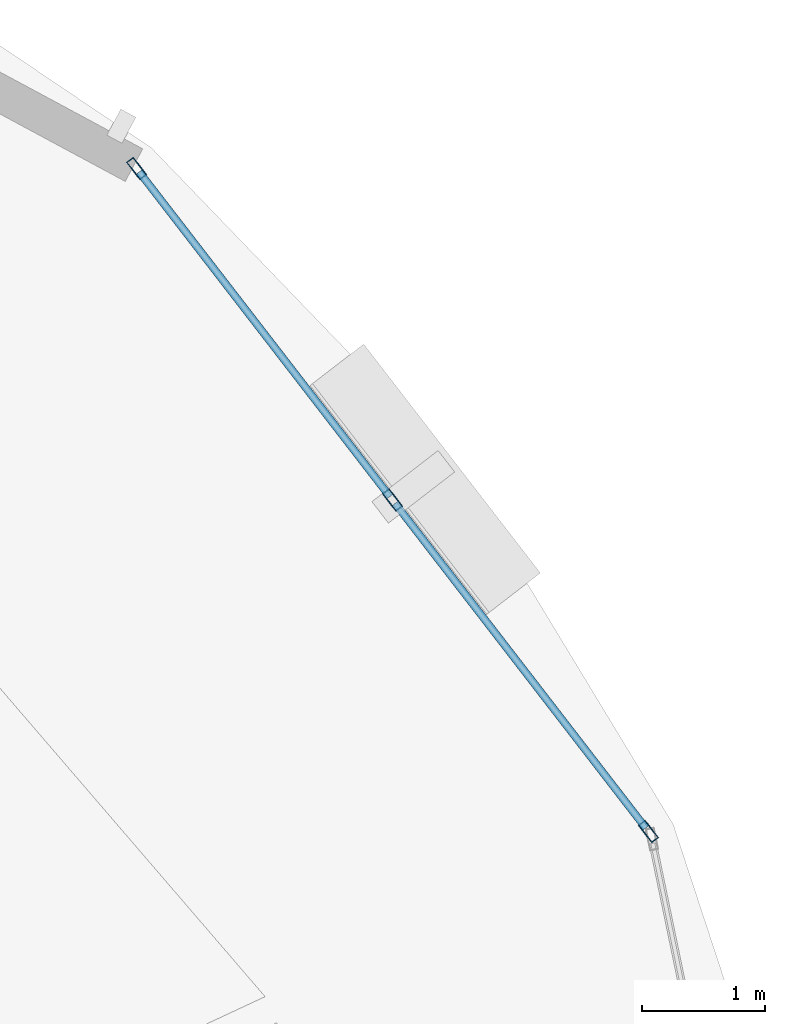
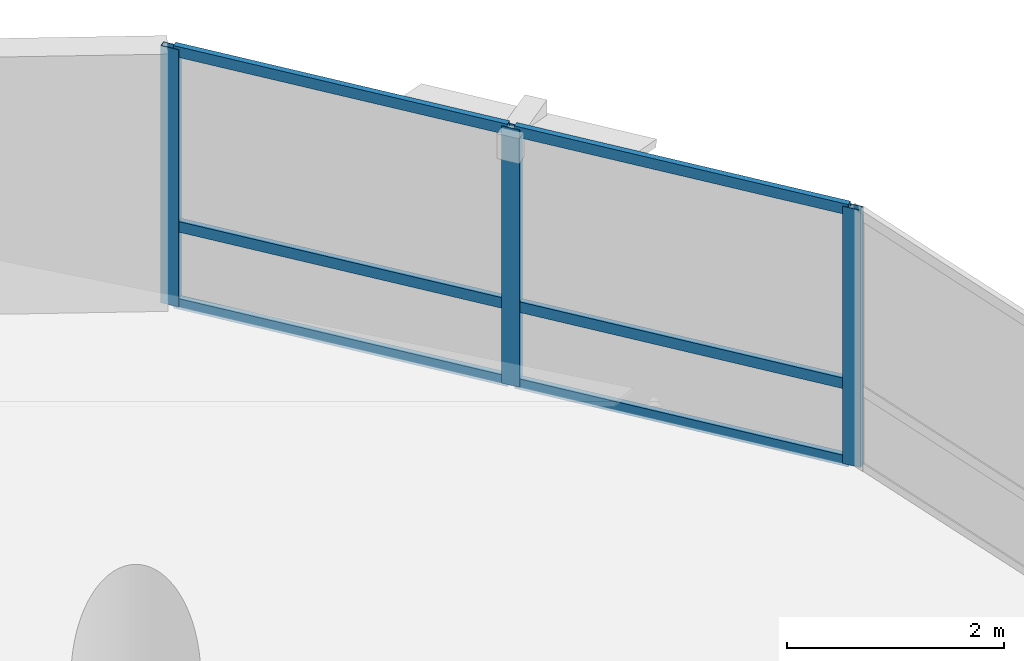
# One storey, part 8 of 14: 9 members, 1 element without a shape of its own.
"""IFC4 building model written with IfcOpenShell, lengths in metres."""

from ifc_helpers import new_model, si_unit, direction, frame, origin, origin_2d, place, context, subcontext, project, spatial, hollow_rectangle, extrude, material, layer, layer_set, material_profile, profile_set, type_object, element, aggregate, save


model = new_model("IFC4")

# Units and contexts
model_context = context("Model", 3, precision=1e-05, world=origin(), true_north=direction((0.0, 1.0)))
body_context = subcontext(model_context, "Body", "Model", "MODEL_VIEW")
ifc_project = project(units=[si_unit("LENGTHUNIT", "METRE"), si_unit("AREAUNIT", "SQUARE_METRE"), si_unit("VOLUMEUNIT", "CUBIC_METRE"), si_unit("PLANEANGLEUNIT", "RADIAN"), si_unit("MASSUNIT", "GRAM", prefix="KILO"), si_unit("THERMODYNAMICTEMPERATUREUNIT", "KELVIN"), si_unit("POWERUNIT", "WATT")], contexts=[model_context])

# Site, building, storey
site_placement = place(None, origin())
site = spatial("IfcSite", under=ifc_project, at=site_placement, CompositionType="ELEMENT")
building_placement = place(site_placement, origin())
building = spatial("IfcBuilding", under=site, at=building_placement, Name="Ocrelia Relay Tower", CompositionType="ELEMENT")
storey_placement = place(building_placement, frame((0.0, 0.0, 137.800048828125)))
storey = spatial("IfcBuildingStorey", under=building, at=storey_placement, Name="L32", CompositionType="ELEMENT", Elevation=137.800048828125)

# Curtain wall, members
ifc_material_1 = material(Name="Aluminium and solar-control low-E glass", Category="aluminium")
ifc_layer = layer(ifc_material_1, 0.179931640625, Name="Aluminium and solar-control low-E glass")
ifc_layer_set = layer_set([ifc_layer], Name="Aluminium and solar-control low-E glass")
curtain_wall_type = type_object("IfcCurtainWallType", Name="CW-SYS-Z2-SWIT", PredefinedType="NOTDEFINED", material=ifc_layer_set)
curtain_wall_placement = place(storey_placement, origin())
curtain_wall = element("IfcCurtainWall", 1, at=curtain_wall_placement, inside=storey, type_object=curtain_wall_type, Name="L32 Elliptical Tower Curtain Wall Bay 01", PredefinedType="NOTDEFINED")
ifc_material_2 = material(Name="Anodised bronze aluminium", Category="aluminium")
ifc_material_profile_1 = material_profile(ifc_material_2, hollow_rectangle(XDim=0.070068359375, YDim=0.179931640625, WallThickness=0.006103515625, at=origin_2d()), Name="CW-MUL-180x70")
ifc_profile_set_1 = profile_set([ifc_material_profile_1], Name="Anodised bronze aluminium")
member_type_1 = type_object("IfcMemberType", Name="CW-SYS-Z2-SWIT-MUL", PredefinedType="MULLION", material=ifc_profile_set_1)
member_1_placement = place(storey_placement, frame((57.236328125, 36.72509765625, 0.0), z_axis=(0.0, 0.0, 1.0), x_axis=(-0.791550597168, -0.611103634519, 0.0)))
member_1 = element("IfcMember", 2, at=member_1_placement, type_object=member_type_1, Name="CW-Z2 mullion 1", PredefinedType="MULLION", context=body_context, shape_type="SweptSolid", body=[
    extrude(hollow_rectangle(XDim=0.070068359375, YDim=0.179931640625, WallThickness=0.006103515625, at=origin_2d()), origin(), (0.0, 0.0, 1.0), 2.89990234375),
])
member_2_placement = place(storey_placement, frame((55.156005859375, 39.419921875, 0.0), z_axis=(0.0, 0.0, 1.0), x_axis=(-0.791550597168, -0.611103634519, 0.0)))
member_2 = element("IfcMember", 3, at=member_2_placement, type_object=member_type_1, Name="CW-Z2 mullion 2", PredefinedType="MULLION", context=body_context, shape_type="SweptSolid", body=[
    extrude(hollow_rectangle(XDim=0.070068359375, YDim=0.179931640625, WallThickness=0.006103515625, at=origin_2d()), origin(), (0.0, 0.0, 1.0), 2.89990234375),
])
member_3_placement = place(storey_placement, frame((53.075439453125, 42.11474609375, 0.0), z_axis=(0.0, 0.0, 1.0), x_axis=(-0.791550597168, -0.611103634519, 0.0)))
member_3 = element("IfcMember", 4, at=member_3_placement, type_object=member_type_1, Name="CW-Z2 mullion 3", PredefinedType="MULLION", context=body_context, shape_type="SweptSolid", body=[
    extrude(hollow_rectangle(XDim=0.070068359375, YDim=0.179931640625, WallThickness=0.006103515625, at=origin_2d()), origin(), (0.0, 0.0, 1.0), 2.89990234375),
])
ifc_material_profile_2 = material_profile(ifc_material_2, hollow_rectangle(XDim=0.06005859375, YDim=0.1201171875, WallThickness=0.0048828125, at=origin_2d()), Name="CW-TRN-120x60")
ifc_profile_set_2 = profile_set([ifc_material_profile_2], Name="Anodised bronze aluminium")
member_type_2 = type_object("IfcMemberType", Name="CW-SYS-Z2-SWIT-TRN", PredefinedType="USERDEFINED", material=ifc_profile_set_2)
member_4_placement = place(storey_placement, frame((57.215087890625, 36.7529296875, 0.030029296875), z_axis=(-0.611128637846, 0.79153129313, 0.0), x_axis=(-0.79153129313, -0.611128637846, 0.0)))
member_4 = element("IfcMember", 5, at=member_4_placement, type_object=member_type_2, Name="CW-Z2 transom 1.1", ObjectType="TRANSOM", PredefinedType="USERDEFINED", context=body_context, shape_type="SweptSolid", body=[
    extrude(hollow_rectangle(XDim=0.06005859375, YDim=0.1201171875, WallThickness=0.0048828125, at=origin_2d()), origin(), (0.0, 0.0, 1.0), 3.33447265625),
])
member_5_placement = place(storey_placement, frame((57.215087890625, 36.7529296875, 0.89990234375), z_axis=(-0.611128637846, 0.79153129313, 0.0), x_axis=(-0.79153129313, -0.611128637846, 0.0)))
member_5 = element("IfcMember", 6, at=member_5_placement, type_object=member_type_2, Name="CW-Z2 transom 1.2", ObjectType="TRANSOM", PredefinedType="USERDEFINED", context=body_context, shape_type="SweptSolid", body=[
    extrude(hollow_rectangle(XDim=0.06005859375, YDim=0.1201171875, WallThickness=0.0048828125, at=origin_2d()), origin(), (0.0, 0.0, 1.0), 3.33447265625),
])
member_6_placement = place(storey_placement, frame((57.215087890625, 36.7529296875, 2.869873046875), z_axis=(-0.611128637846, 0.79153129313, 0.0), x_axis=(-0.79153129313, -0.611128637846, 0.0)))
member_6 = element("IfcMember", 7, at=member_6_placement, type_object=member_type_2, Name="CW-Z2 transom 1.3", ObjectType="TRANSOM", PredefinedType="USERDEFINED", context=body_context, shape_type="SweptSolid", body=[
    extrude(hollow_rectangle(XDim=0.06005859375, YDim=0.1201171875, WallThickness=0.0048828125, at=origin_2d()), origin(), (0.0, 0.0, 1.0), 3.33447265625),
])
member_7_placement = place(storey_placement, frame((55.134521484375, 39.44775390625, 0.030029296875), z_axis=(-0.611128637846, 0.79153129313, 0.0), x_axis=(-0.79153129313, -0.611128637846, 0.0)))
member_7 = element("IfcMember", 8, at=member_7_placement, type_object=member_type_2, Name="CW-Z2 transom 2.1", ObjectType="TRANSOM", PredefinedType="USERDEFINED", context=body_context, shape_type="SweptSolid", body=[
    extrude(hollow_rectangle(XDim=0.06005859375, YDim=0.1201171875, WallThickness=0.0048828125, at=origin_2d()), origin(), (0.0, 0.0, 1.0), 3.33447265625),
])
member_8_placement = place(storey_placement, frame((55.134521484375, 39.44775390625, 0.89990234375), z_axis=(-0.611128637846, 0.79153129313, 0.0), x_axis=(-0.79153129313, -0.611128637846, 0.0)))
member_8 = element("IfcMember", 9, at=member_8_placement, type_object=member_type_2, Name="CW-Z2 transom 2.2", ObjectType="TRANSOM", PredefinedType="USERDEFINED", context=body_context, shape_type="SweptSolid", body=[
    extrude(hollow_rectangle(XDim=0.06005859375, YDim=0.1201171875, WallThickness=0.0048828125, at=origin_2d()), origin(), (0.0, 0.0, 1.0), 3.33447265625),
])
member_9_placement = place(storey_placement, frame((55.134521484375, 39.44775390625, 2.869873046875), z_axis=(-0.611128637846, 0.79153129313, 0.0), x_axis=(-0.79153129313, -0.611128637846, 0.0)))
member_9 = element("IfcMember", 10, at=member_9_placement, type_object=member_type_2, Name="CW-Z2 transom 2.3", ObjectType="TRANSOM", PredefinedType="USERDEFINED", context=body_context, shape_type="SweptSolid", body=[
    extrude(hollow_rectangle(XDim=0.06005859375, YDim=0.1201171875, WallThickness=0.0048828125, at=origin_2d()), origin(), (0.0, 0.0, 1.0), 3.33447265625),
])
aggregate(curtain_wall, [member_1, member_2, member_3, member_4, member_5, member_6, member_7, member_8, member_9])

save(model, "model.ifc")
